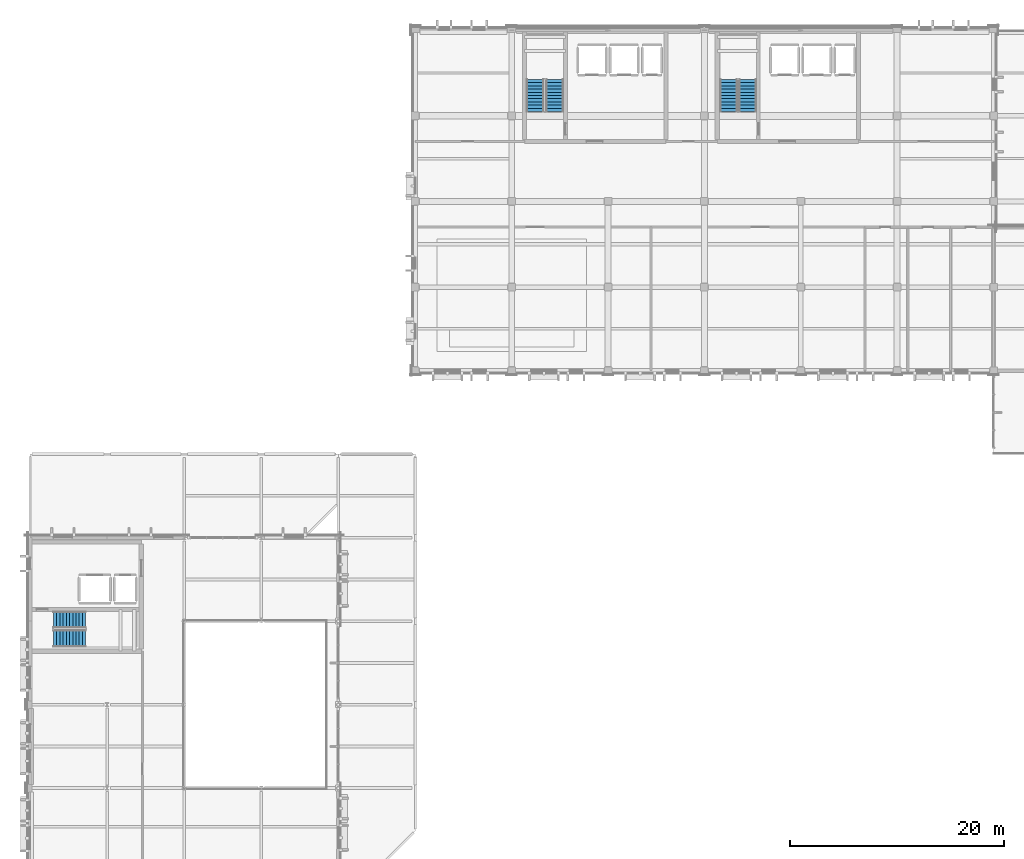
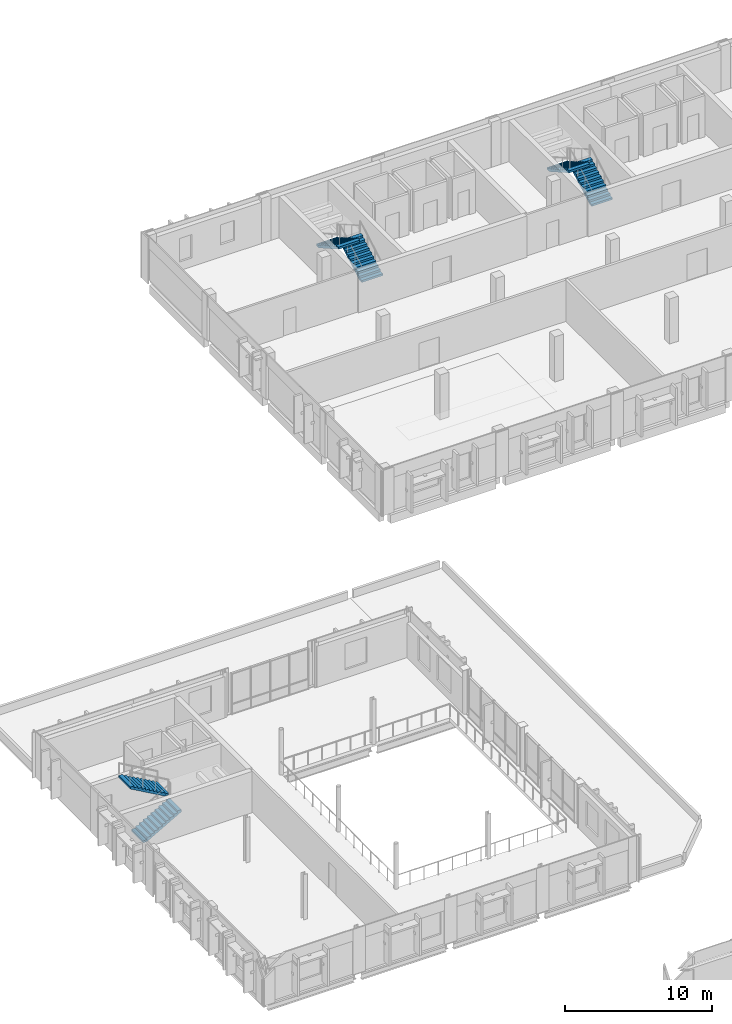
# One storey, part 56 of 73: 6 stair flights, 3 elements without a shape of their own.
"""IFC4 building model written with IfcOpenShell, lengths in metres."""

from ifc_helpers import new_model, si_unit, direction, frame, origin, place, context, subcontext, project, spatial, polyline, outline, extrude, material, type_object, element, aggregate, save


model = new_model("IFC4")

# Units and contexts
model_context = context("Model", 3, precision=1e-05, world=origin(), true_north=direction((0.0, 1.0)))
body_context = subcontext(model_context, "Body", "Model", "MODEL_VIEW")
ifc_project = project(units=[si_unit("LENGTHUNIT", "METRE"), si_unit("AREAUNIT", "SQUARE_METRE"), si_unit("VOLUMEUNIT", "CUBIC_METRE"), si_unit("PLANEANGLEUNIT", "RADIAN"), si_unit("MASSUNIT", "GRAM", prefix="KILO")], contexts=[model_context])

# Site, building, storey
site_placement = place(None, origin())
site = spatial("IfcSite", under=ifc_project, at=site_placement, CompositionType="ELEMENT")
building_placement = place(site_placement, origin())
building = spatial("IfcBuilding", under=site, at=building_placement, Name="Vervanel Yard Central Library", CompositionType="ELEMENT")
storey_placement = place(building_placement, frame((0.0, 0.0, 12.780029296875)))
storey = spatial("IfcBuildingStorey", under=building, at=storey_placement, Name="L03", CompositionType="ELEMENT", Elevation=12.780029296875)

# Stair, stair flights
ifc_material = material(Name="Concrete C40/50", Category="concrete")
stair_type_1 = type_object("IfcStairType", Name="Protected Core Dog-Leg Stair ST-01", PredefinedType="HALF_TURN_STAIR", material=ifc_material)
stair_1_placement = place(storey_placement, origin())
stair_1 = element("IfcStair", 1, at=stair_1_placement, inside=storey, type_object=stair_type_1, Name="L03 CORE-A Protected Exit Stair", PredefinedType="HALF_TURN_STAIR")
stair_flight_type_1 = type_object("IfcStairFlightType", Name="Protected Stair Flight ST-01-FL", PredefinedType="STRAIGHT", material=ifc_material)
stair_flight_1_placement = place(storey_placement, frame((49.02490234375, 106.39990234375, 0.0), z_axis=(0.0, 0.0, 1.0), x_axis=(0.0, 1.0, 0.0)))
stair_flight_1 = element("IfcStairFlight", 2, at=stair_flight_1_placement, type_object=stair_flight_type_1, Name="ST-01 flight 1", NumberOfRisers=11, NumberOfTreads=10, PredefinedType="STRAIGHT", RiserHeight=0.17, TreadLength=0.3, context=body_context, shape_type="SweptSolid", body=[
    extrude(outline(polyline([(0.0, 0.0), (0.0, 0.169921875), (0.300048828125, 0.169921875), (0.300048828125, 0.340087890625), (0.60009765625, 0.340087890625), (0.60009765625, 0.510009765625), (0.89990234375, 0.510009765625), (0.89990234375, 0.679931640625), (1.199951171875, 0.679931640625), (1.199951171875, 0.85009765625), (1.5, 0.85009765625), (1.5, 1.02001953125), (1.800048828125, 1.02001953125), (1.800048828125, 1.18994140625), (2.10009765625, 1.18994140625), (2.10009765625, 1.360107421875), (2.39990234375, 1.360107421875), (2.39990234375, 1.530029296875), (2.699951171875, 1.530029296875), (2.699951171875, 1.699951171875), (3.0, 1.699951171875), (3.0, 1.8701171875), (3.0, 1.527587890625), (0.303955078125, 0.0), (0.0, 0.0)])), frame((0.0, 0.824951171875, 0.0), z_axis=(0.0, -1.0, 0.0), x_axis=(1.0, 0.0, 0.0)), (0.0, 0.0, 1.0), 1.64990234375),
])
stair_flight_2_placement = place(storey_placement, frame((47.215087890625, 109.39990234375, 1.869873046875), z_axis=(0.0, 0.0, 1.0), x_axis=(0.0, -1.0, 0.0)))
stair_flight_2 = element("IfcStairFlight", 3, at=stair_flight_2_placement, type_object=stair_flight_type_1, Name="ST-01 flight 2", NumberOfRisers=11, NumberOfTreads=10, PredefinedType="STRAIGHT", RiserHeight=0.17, TreadLength=0.3, context=body_context, shape_type="SweptSolid", body=[
    extrude(outline(polyline([(0.0, 0.0), (0.0, 0.169921875), (0.300048828125, 0.169921875), (0.300048828125, 0.340087890625), (0.60009765625, 0.340087890625), (0.60009765625, 0.510009765625), (0.89990234375, 0.510009765625), (0.89990234375, 0.679931640625), (1.199951171875, 0.679931640625), (1.199951171875, 0.85009765625), (1.5, 0.85009765625), (1.5, 1.02001953125), (1.800048828125, 1.02001953125), (1.800048828125, 1.18994140625), (2.10009765625, 1.18994140625), (2.10009765625, 1.360107421875), (2.39990234375, 1.360107421875), (2.39990234375, 1.530029296875), (2.699951171875, 1.530029296875), (2.699951171875, 1.699951171875), (3.0, 1.699951171875), (3.0, 1.8701171875), (3.0, 1.527587890625), (0.303955078125, 0.0), (0.0, 0.0)])), frame((0.0, 0.824951171875, 0.0), z_axis=(0.0, -1.0, 0.0), x_axis=(1.0, 0.0, 0.0)), (0.0, 0.0, 1.0), 1.64990234375),
])
aggregate(stair_1, [stair_flight_1, stair_flight_2])

stair_type_2 = type_object("IfcStairType", Name="Protected Core Dog-Leg Stair ST-02", PredefinedType="HALF_TURN_STAIR", material=ifc_material)
stair_2_placement = place(storey_placement, origin())
stair_2 = element("IfcStair", 4, at=stair_2_placement, inside=storey, type_object=stair_type_2, Name="L03 CORE-B Protected Exit Stair", PredefinedType="HALF_TURN_STAIR")
stair_flight_type_2 = type_object("IfcStairFlightType", Name="Protected Stair Flight ST-02-FL", PredefinedType="STRAIGHT", material=ifc_material)
stair_flight_3_placement = place(storey_placement, frame((67.0400390625, 106.39990234375, 0.0), z_axis=(0.0, 0.0, 1.0), x_axis=(0.0, 1.0, 0.0)))
stair_flight_3 = element("IfcStairFlight", 5, at=stair_flight_3_placement, type_object=stair_flight_type_2, Name="ST-02 flight 1", NumberOfRisers=11, NumberOfTreads=10, PredefinedType="STRAIGHT", RiserHeight=0.17, TreadLength=0.3, context=body_context, shape_type="SweptSolid", body=[
    extrude(outline(polyline([(0.0, 0.0), (0.0, 0.169921875), (0.300048828125, 0.169921875), (0.300048828125, 0.340087890625), (0.60009765625, 0.340087890625), (0.60009765625, 0.510009765625), (0.89990234375, 0.510009765625), (0.89990234375, 0.679931640625), (1.199951171875, 0.679931640625), (1.199951171875, 0.85009765625), (1.5, 0.85009765625), (1.5, 1.02001953125), (1.800048828125, 1.02001953125), (1.800048828125, 1.18994140625), (2.10009765625, 1.18994140625), (2.10009765625, 1.360107421875), (2.39990234375, 1.360107421875), (2.39990234375, 1.530029296875), (2.699951171875, 1.530029296875), (2.699951171875, 1.699951171875), (3.0, 1.699951171875), (3.0, 1.8701171875), (3.0, 1.527587890625), (0.303955078125, 0.0), (0.0, 0.0)])), frame((0.0, 0.81005859375, 0.0), z_axis=(0.0, -1.0, 0.0), x_axis=(1.0, 0.0, 0.0)), (0.0, 0.0, 1.0), 1.6201171875),
])
stair_flight_4_placement = place(storey_placement, frame((65.260009765625, 109.39990234375, 1.869873046875), z_axis=(0.0, 0.0, 1.0), x_axis=(0.0, -1.0, 0.0)))
stair_flight_4 = element("IfcStairFlight", 6, at=stair_flight_4_placement, type_object=stair_flight_type_2, Name="ST-02 flight 2", NumberOfRisers=11, NumberOfTreads=10, PredefinedType="STRAIGHT", RiserHeight=0.17, TreadLength=0.3, context=body_context, shape_type="SweptSolid", body=[
    extrude(outline(polyline([(0.0, 0.0), (0.0, 0.169921875), (0.300048828125, 0.169921875), (0.300048828125, 0.340087890625), (0.60009765625, 0.340087890625), (0.60009765625, 0.510009765625), (0.89990234375, 0.510009765625), (0.89990234375, 0.679931640625), (1.199951171875, 0.679931640625), (1.199951171875, 0.85009765625), (1.5, 0.85009765625), (1.5, 1.02001953125), (1.800048828125, 1.02001953125), (1.800048828125, 1.18994140625), (2.10009765625, 1.18994140625), (2.10009765625, 1.360107421875), (2.39990234375, 1.360107421875), (2.39990234375, 1.530029296875), (2.699951171875, 1.530029296875), (2.699951171875, 1.699951171875), (3.0, 1.699951171875), (3.0, 1.8701171875), (3.0, 1.527587890625), (0.303955078125, 0.0), (0.0, 0.0)])), frame((0.0, 0.81005859375, 0.0), z_axis=(0.0, -1.0, 0.0), x_axis=(1.0, 0.0, 0.0)), (0.0, 0.0, 1.0), 1.6201171875),
])
aggregate(stair_2, [stair_flight_3, stair_flight_4])

stair_type_3 = type_object("IfcStairType", Name="Protected Core Dog-Leg Stair ST-03", PredefinedType="HALF_TURN_STAIR", material=ifc_material)
stair_3_placement = place(storey_placement, origin())
stair_3 = element("IfcStair", 7, at=stair_3_placement, inside=storey, type_object=stair_type_3, Name="L03 CORE-C Protected Exit Stair", PredefinedType="HALF_TURN_STAIR")
stair_flight_type_3 = type_object("IfcStairFlightType", Name="Protected Stair Flight ST-03-FL", PredefinedType="STRAIGHT", material=ifc_material)
stair_flight_5_placement = place(storey_placement, frame((2.199951171875, 57.18994140625, 0.0), z_axis=(0.0, 0.0, 1.0), x_axis=(1.0, 0.0, 0.0)))
stair_flight_5 = element("IfcStairFlight", 8, at=stair_flight_5_placement, type_object=stair_flight_type_3, Name="ST-03 flight 1", NumberOfRisers=11, NumberOfTreads=10, PredefinedType="STRAIGHT", RiserHeight=0.17, TreadLength=0.3, context=body_context, shape_type="SweptSolid", body=[
    extrude(outline(polyline([(0.0, 0.0), (0.0, 0.169921875), (0.300048828125, 0.169921875), (0.300048828125, 0.340087890625), (0.60009765625, 0.340087890625), (0.60009765625, 0.510009765625), (0.89990234375, 0.510009765625), (0.89990234375, 0.679931640625), (1.199951171875, 0.679931640625), (1.199951171875, 0.85009765625), (1.5, 0.85009765625), (1.5, 1.02001953125), (1.800048828125, 1.02001953125), (1.800048828125, 1.18994140625), (2.10009765625, 1.18994140625), (2.10009765625, 1.360107421875), (2.39990234375, 1.360107421875), (2.39990234375, 1.530029296875), (2.699951171875, 1.530029296875), (2.699951171875, 1.699951171875), (3.0, 1.699951171875), (3.0, 1.8701171875), (3.0, 1.527587890625), (0.303955078125, 0.0), (0.0, 0.0)])), frame((0.0, 0.7900390625, 0.0), z_axis=(0.0, -1.0, 0.0), x_axis=(1.0, 0.0, 0.0)), (0.0, 0.0, 1.0), 1.580078125),
])
stair_flight_6_placement = place(storey_placement, frame((5.199951171875, 58.929931640625, 1.869873046875), z_axis=(0.0, 0.0, 1.0), x_axis=(-1.0, 0.0, 0.0)))
stair_flight_6 = element("IfcStairFlight", 9, at=stair_flight_6_placement, type_object=stair_flight_type_3, Name="ST-03 flight 2", NumberOfRisers=11, NumberOfTreads=10, PredefinedType="STRAIGHT", RiserHeight=0.17, TreadLength=0.3, context=body_context, shape_type="SweptSolid", body=[
    extrude(outline(polyline([(0.0, 0.0), (0.0, 0.169921875), (0.300048828125, 0.169921875), (0.300048828125, 0.340087890625), (0.60009765625, 0.340087890625), (0.60009765625, 0.510009765625), (0.89990234375, 0.510009765625), (0.89990234375, 0.679931640625), (1.199951171875, 0.679931640625), (1.199951171875, 0.85009765625), (1.5, 0.85009765625), (1.5, 1.02001953125), (1.800048828125, 1.02001953125), (1.800048828125, 1.18994140625), (2.10009765625, 1.18994140625), (2.10009765625, 1.360107421875), (2.39990234375, 1.360107421875), (2.39990234375, 1.530029296875), (2.699951171875, 1.530029296875), (2.699951171875, 1.699951171875), (3.0, 1.699951171875), (3.0, 1.8701171875), (3.0, 1.527587890625), (0.303955078125, 0.0), (0.0, 0.0)])), frame((0.0, 0.7900390625, 0.0), z_axis=(0.0, -1.0, 0.0), x_axis=(1.0, 0.0, 0.0)), (0.0, 0.0, 1.0), 1.580078125),
])
aggregate(stair_3, [stair_flight_5, stair_flight_6])

save(model, "model.ifc")
